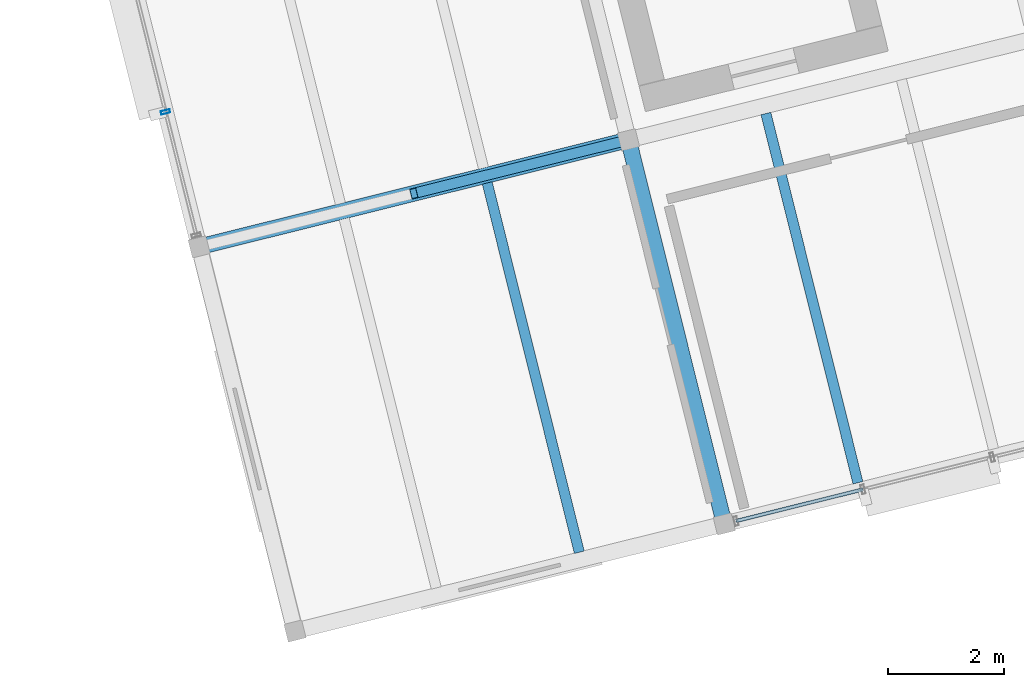
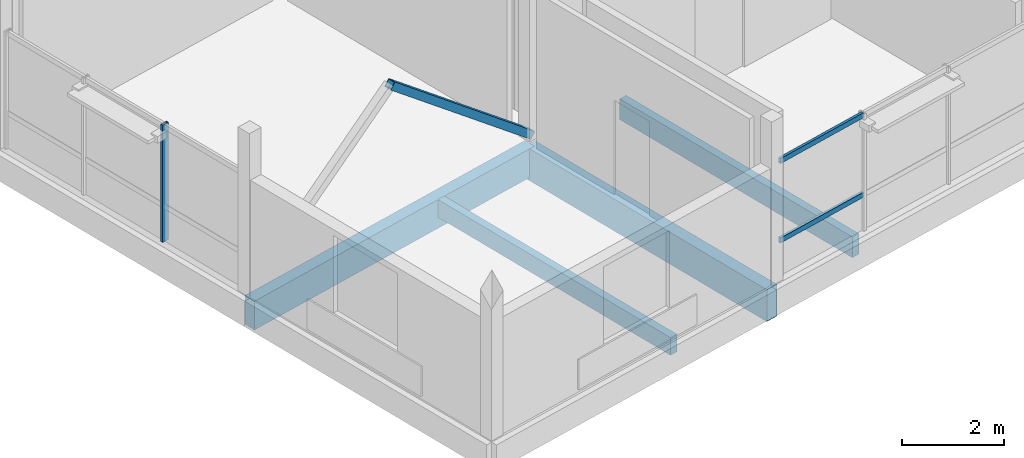
# One storey, part 3 of 25: 4 beams, 4 members, 2 elements without a shape of their own.
"""IFC4 building model written with IfcOpenShell, lengths in metres."""

from ifc_helpers import new_model, si_unit, direction, frame, origin, origin_2d, place, context, subcontext, project, spatial, rectangle, hollow_rectangle, extrude, material, layer, layer_set, material_profile, profile_set, type_object, element, aggregate, save


model = new_model("IFC4")

# Units and contexts
model_context = context("Model", 3, precision=1e-05, world=origin(), true_north=direction((0.0, 1.0)))
body_context = subcontext(model_context, "Body", "Model", "MODEL_VIEW")
ifc_project = project(units=[si_unit("LENGTHUNIT", "METRE"), si_unit("AREAUNIT", "SQUARE_METRE"), si_unit("VOLUMEUNIT", "CUBIC_METRE"), si_unit("PLANEANGLEUNIT", "RADIAN"), si_unit("MASSUNIT", "GRAM", prefix="KILO")], contexts=[model_context])

# Site, building, storey
site_placement = place(None, origin())
site = spatial("IfcSite", under=ifc_project, at=site_placement, CompositionType="ELEMENT")
building_placement = place(site_placement, origin())
building = spatial("IfcBuilding", under=site, at=building_placement, Name="Meriwether Solvik Hall", CompositionType="ELEMENT")
storey_placement = place(building_placement, frame((0.0, 0.0, 49.5)))
storey = spatial("IfcBuildingStorey", under=building, at=storey_placement, Name="L12", CompositionType="ELEMENT", Elevation=49.5)

# Beams
ifc_material_1 = material(Name="Glulam Douglas-Fir 24F-V8 GL28h", Category="wood")
ifc_material_profile_1 = material_profile(ifc_material_1, rectangle(XDim=0.27294921875, YDim=0.68505859375, at=origin_2d()), Name="GLB-273X685")
ifc_profile_set_1 = profile_set([ifc_material_profile_1], Name="Glulam Douglas-Fir 24F-V8 GL28h")
beam_type_1 = type_object("IfcBeamType", Name="BM-GL-273X685", PredefinedType="BEAM", material=ifc_profile_set_1)
beam_1_placement = place(storey_placement, frame((66.954833984375, 47.798095703125, -0.5224609375), z_axis=(0.970295366785, 0.241923337436, 0.0), x_axis=(-0.241923337436, 0.970295366785, 0.0)))
element("IfcBeam", 1, at=beam_1_placement, inside=storey, type_object=beam_type_1, Name="Tower Girder TB:T1-T2 (L12)", PredefinedType="BEAM", context=body_context, shape_type="SweptSolid", body=[
    extrude(rectangle(XDim=0.27294921875, YDim=0.68505859375, at=origin_2d()), origin(), (0.0, 0.0, 1.0), 7.60009765625),
])
ifc_material_2 = material(Name="Glulam Douglas-Fir 24F-V8 GL28h", Category="wood")
ifc_material_profile_2 = material_profile(ifc_material_2, rectangle(XDim=0.27294921875, YDim=0.760009765625, at=origin_2d()), Name="GLB-273X760")
ifc_profile_set_2 = profile_set([ifc_material_profile_2], Name="Glulam Douglas-Fir 24F-V8 GL28h")
beam_type_2 = type_object("IfcBeamType", Name="BM-GL-273X760", PredefinedType="BEAM", material=ifc_profile_set_2)
beam_2_placement = place(storey_placement, frame((75.974365234375, 43.03857421875, -0.56005859375), z_axis=(-0.241944251278, 0.970290152106, 0.0), x_axis=(-0.970290152106, -0.241944251278, 0.0)))
element("IfcBeam", 2, at=beam_2_placement, inside=storey, type_object=beam_type_2, Name="Tower Girder T2:TA-TB (L12)", PredefinedType="BEAM", context=body_context, shape_type="SweptSolid", body=[
    extrude(rectangle(XDim=0.27294921875, YDim=0.760009765625, at=origin_2d()), origin(), (0.0, 0.0, 1.0), 6.80029296875),
])

# Curtain wall, member
ifc_material_3 = material(Name="Thermally Broken Anodised Aluminium 6063-T6 and Low-E Glass", Category="aluminium")
ifc_layer_1 = layer(ifc_material_3, 0.179931640625)
ifc_layer_set_1 = layer_set([ifc_layer_1], Name="Thermally Broken Anodised Aluminium 6063-T6 and Low-E Glass")
curtain_wall_type_1 = type_object("IfcCurtainWallType", Name="CW-UNIT-G", PredefinedType="USERDEFINED", material=ifc_layer_set_1)
curtain_wall_1_placement = place(storey_placement, origin())
curtain_wall_1 = element("IfcCurtainWall", 3, at=curtain_wall_1_placement, inside=storey, type_object=curtain_wall_type_1, Name="Curtain Wall E3_B1 (L12)", ObjectType="UNITISED CURTAIN WALL", PredefinedType="USERDEFINED")
ifc_material_4 = material(Name="Anodised Aluminium 6063-T6", Category="aluminium")
ifc_material_profile_3 = material_profile(ifc_material_4, hollow_rectangle(XDim=0.06005859375, YDim=0.159912109375, WallThickness=0.00390625, at=origin_2d()), Name="CWM-60X160")
ifc_profile_set_3 = profile_set([ifc_material_profile_3], Name="Anodised Aluminium 6063-T6")
member_type_1 = type_object("IfcMemberType", Name="CW-MUL-60X160", PredefinedType="MULLION", material=ifc_profile_set_3)
member_1_placement = place(storey_placement, frame((66.376708984375, 50.116943359375, 0.0), z_axis=(0.0, 0.0, 1.0), x_axis=(-0.241921784185, 0.970295754055, 0.0)))
member_1 = element("IfcMember", 4, at=member_1_placement, type_object=member_type_1, Name="Curtain Wall Mullion 2", PredefinedType="MULLION", context=body_context, shape_type="SweptSolid", body=[
    extrude(hollow_rectangle(XDim=0.06005859375, YDim=0.159912109375, WallThickness=0.00390625, at=origin_2d()), origin(), (0.0, 0.0, 1.0), 2.7900390625),
])
aggregate(curtain_wall_1, [member_1])

# Curtain wall, members
ifc_material_5 = material(Name="Thermally Broken Anodised Aluminium 6063-T6 and Low-E Glass", Category="aluminium")
ifc_layer_2 = layer(ifc_material_5, 0.179931640625)
ifc_layer_set_2 = layer_set([ifc_layer_2], Name="Thermally Broken Anodised Aluminium 6063-T6 and Low-E Glass")
curtain_wall_type_2 = type_object("IfcCurtainWallType", Name="CW-UNIT-D", PredefinedType="USERDEFINED", material=ifc_layer_set_2)
curtain_wall_2_placement = place(storey_placement, origin())
curtain_wall_2 = element("IfcCurtainWall", 5, at=curtain_wall_2_placement, inside=storey, type_object=curtain_wall_type_2, Name="Curtain Wall E0_B1 (L12)", ObjectType="UNITISED CURTAIN WALL", PredefinedType="USERDEFINED")
ifc_material_6 = material(Name="Anodised Aluminium 6063-T6", Category="aluminium")
ifc_material_profile_4 = material_profile(ifc_material_6, hollow_rectangle(XDim=0.06005859375, YDim=0.1201171875, WallThickness=0.00390625, at=origin_2d()), Name="CWT-60X120")
ifc_profile_set_4 = profile_set([ifc_material_profile_4], Name="Anodised Aluminium 6063-T6")
member_type_2 = type_object("IfcMemberType", Name="CW-TRN-60X120", PredefinedType="USERDEFINED", material=ifc_profile_set_4)
member_2_placement = place(storey_placement, frame((78.357666015625, 43.6328125, 0.8369140625), z_axis=(-0.970308305597, -0.241871437108, 0.0), x_axis=(0.241871437108, -0.970308305597, 0.0)))
member_2 = element("IfcMember", 6, at=member_2_placement, type_object=member_type_2, Name="Curtain Wall Transom 3-sill", ObjectType="TRANSOM", PredefinedType="USERDEFINED", context=body_context, shape_type="SweptSolid", body=[
    extrude(hollow_rectangle(XDim=0.06005859375, YDim=0.1201171875, WallThickness=0.00390625, at=origin_2d()), origin(), (0.0, 0.0, 1.0), 2.2490234375),
])
member_3_placement = place(storey_placement, frame((78.357666015625, 43.6328125, 2.72998046875), z_axis=(-0.970308305597, -0.241871437108, 0.0), x_axis=(0.241871437108, -0.970308305597, 0.0)))
member_3 = element("IfcMember", 7, at=member_3_placement, type_object=member_type_2, Name="Curtain Wall Transom 3-head", ObjectType="TRANSOM", PredefinedType="USERDEFINED", context=body_context, shape_type="SweptSolid", body=[
    extrude(hollow_rectangle(XDim=0.06005859375, YDim=0.1201171875, WallThickness=0.00390625, at=origin_2d()), origin(), (0.0, 0.0, 1.0), 2.2490234375),
])
aggregate(curtain_wall_2, [member_2, member_3])

# Beams
ifc_material_7 = material(Name="Glulam Douglas-Fir 24F-V8 GL28h", Category="wood")
ifc_material_profile_5 = material_profile(ifc_material_7, rectangle(XDim=0.175048828125, YDim=0.419921875, at=origin_2d()), Name="GLJ-175X420")
ifc_profile_set_5 = profile_set([ifc_material_profile_5], Name="Glulam Douglas-Fir 24F-V8 GL28h")
beam_type_3 = type_object("IfcBeamType", Name="JST-GL-175X420", PredefinedType="JOIST", material=ifc_profile_set_5)
beam_3_placement = place(storey_placement, frame((73.484375, 42.55322265625, -0.389892578125), z_axis=(-0.241929249708, 0.970293892661, 0.0), x_axis=(-0.970293892661, -0.241929249708, 0.0)))
element("IfcBeam", 8, at=beam_3_placement, inside=storey, type_object=beam_type_3, Name="Glulam Floor Joist T1/TA-J2 (L12)", PredefinedType="JOIST", context=body_context, shape_type="SweptSolid", body=[
    extrude(rectangle(XDim=0.175048828125, YDim=0.419921875, at=origin_2d()), origin(), (0.0, 0.0, 1.0), 6.537109375),
])
ifc_material_8 = material(Name="Glulam Douglas-Fir 24F-V8 GL28h", Category="wood")
ifc_material_profile_6 = material_profile(ifc_material_8, rectangle(XDim=0.175048828125, YDim=0.4951171875, at=origin_2d()), Name="GLJ-175X495")
ifc_profile_set_6 = profile_set([ifc_material_profile_6], Name="Glulam Douglas-Fir 24F-V8 GL28h")
beam_type_4 = type_object("IfcBeamType", Name="JST-GL-175X495", PredefinedType="JOIST", material=ifc_profile_set_6)
beam_4_placement = place(storey_placement, frame((78.271240234375, 43.746826171875, -0.427490234375), z_axis=(-0.241938016776, 0.970291706673, 0.0), x_axis=(-0.970291706673, -0.241938016776, 0.0)))
element("IfcBeam", 9, at=beam_4_placement, inside=storey, type_object=beam_type_4, Name="Glulam Floor Joist T2/TA-J1 (L12)", PredefinedType="JOIST", context=body_context, shape_type="SweptSolid", body=[
    extrude(rectangle(XDim=0.175048828125, YDim=0.4951171875, at=origin_2d()), origin(), (0.0, 0.0, 1.0), 6.536865234375),
])

# Member
ifc_material_9 = material(Name="Steel A500 Grade C", Category="steel")
ifc_material_profile_7 = material_profile(ifc_material_9, hollow_rectangle(XDim=0.177978515625, YDim=0.177978515625, WallThickness=0.009521484375, at=origin_2d()), Name="HSS178X178X9.5")
ifc_profile_set_7 = profile_set([ifc_material_profile_7], Name="Steel A500 Grade C")
member_type_3 = type_object("IfcMemberType", Name="MEM-BR-HSS178", PredefinedType="BRACE", material=ifc_profile_set_7)
member_4_placement = place(storey_placement, frame((74.3291015625, 49.63671875, 0.050048828125), z_axis=(-0.759129085082, -0.189304736751, 0.622805546561), x_axis=(0.241961122321, -0.970285945114, 0.0)))
element("IfcMember", 10, at=member_4_placement, inside=storey, type_object=member_type_3, Name="Tower Chevron Brace L12-B1B", PredefinedType="BRACE", context=body_context, shape_type="SweptSolid", body=[
    extrude(hollow_rectangle(XDim=0.177978515625, YDim=0.177978515625, WallThickness=0.009521484375, at=origin_2d()), origin(), (0.0, 0.0, 1.0), 4.85693359375),
])

save(model, "model.ifc")
